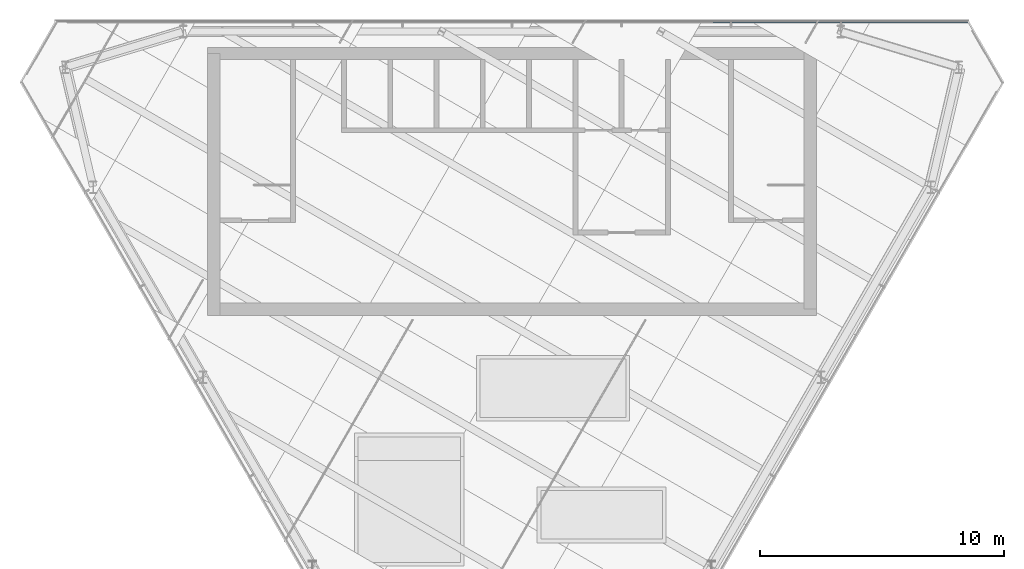
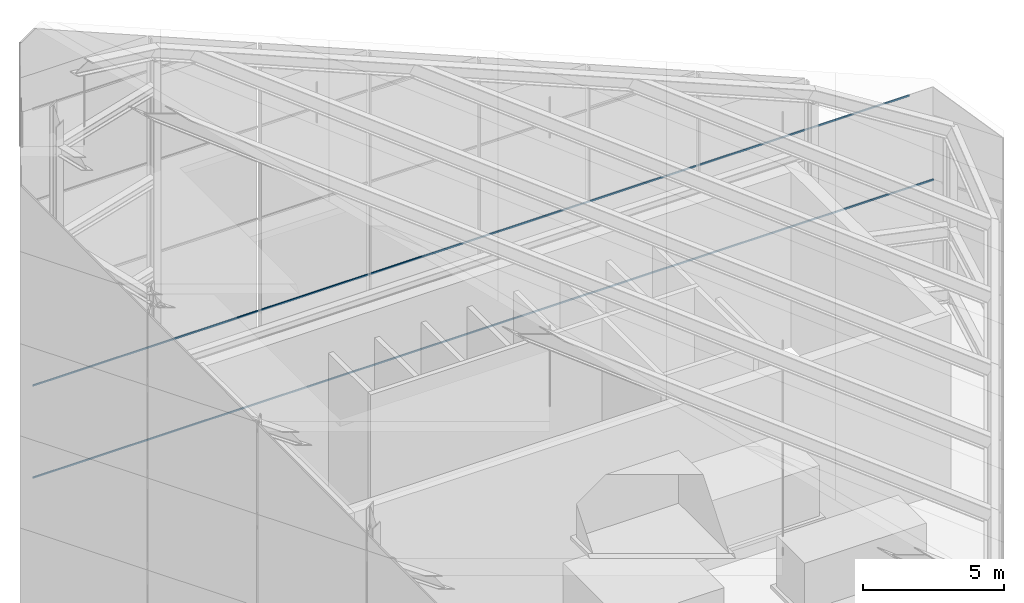
# One storey, part 9 of 16: 2 members, 1 element without a shape of its own.
"""IFC4 building model written with IfcOpenShell, lengths in metres."""

import ifcopenshell
import ifcopenshell.guid

model = None  # the IFC model being written
_history = None  # IfcOwnerHistory: only IFC2X3 demands one
_inside = {}  # id of a spatial element -> (the spatial element, [elements in it])
_under = {}  # id of a project, library or spatial element -> (it, [spatial elements below it])
_declared = {}  # id of a project -> (the project, [libraries it declares])
_typed = {}  # id of a type object -> (the type object, [elements of that type])
_made_of = {}  # id of a material, layer set ... -> (it, [elements and type objects made of it])


def new_model(schema):
    """Start an empty IFC model of exactly this schema.

    Asked for "IFC4X3", IfcOpenShell would pick the latest addendum, in which some entities
    have other attributes; the version numbers below select the first issue.
    IFC2X3 requires an IfcOwnerHistory on every rooted entity: one is made here for all.
    """
    global model, _history
    if schema == "IFC4X3":
        model = ifcopenshell.file(schema_version=(4, 3, 0, 0))
    else:
        model = ifcopenshell.file(schema=schema)
    _inside.clear()
    _under.clear()
    _declared.clear()
    _typed.clear()
    _made_of.clear()
    _history = None
    if model.schema == "IFC2X3":
        org = make("IfcOrganization", Name="unknown")
        user = make(
            "IfcPersonAndOrganization",
            ThePerson=make("IfcPerson", FamilyName="unknown"),
            TheOrganization=org,
        )
        app = make(
            "IfcApplication",
            ApplicationDeveloper=org,
            Version="unknown",
            ApplicationFullName="unknown",
            ApplicationIdentifier="unknown",
        )
        _history = make(
            "IfcOwnerHistory",
            OwningUser=user,
            OwningApplication=app,
            ChangeAction="ADDED",
            CreationDate=0,
        )
    return model


def make(cls, **values):
    """One entity of the class cls with the attributes given. An attribute that is None is left unset."""
    return model.create_entity(
        cls, **{name: value for name, value in values.items() if value is not None}
    )


def rooted(cls, **values):
    """An entity with a GlobalId (a new one), such as an element, a storey or a relation."""
    return make(cls, GlobalId=ifcopenshell.guid.new(), OwnerHistory=_history, **values)


def si_unit(unit_type, name, prefix=None):
    """IfcSIUnit, for example si_unit("LENGTHUNIT", "METRE", prefix="MILLI")."""
    return make("IfcSIUnit", UnitType=unit_type, Prefix=prefix, Name=name)


def assignment(units):
    """IfcUnitAssignment: the units of a project."""
    return None if units is None else make("IfcUnitAssignment", Units=units)


def point(xyz):
    """IfcCartesianPoint."""
    return None if xyz is None else make("IfcCartesianPoint", Coordinates=xyz)


def direction(xyz):
    """IfcDirection."""
    return None if xyz is None else make("IfcDirection", DirectionRatios=xyz)


def frame(location, z_axis=None, x_axis=None):
    """IfcAxis2Placement3D, a coordinate frame: its origin and axes. An axis left out is left unset."""
    return make(
        "IfcAxis2Placement3D",
        Location=point(location),
        Axis=direction(z_axis),
        RefDirection=direction(x_axis),
    )


def frame_2d(location, x_axis=None):
    """IfcAxis2Placement2D, a coordinate frame in the plane: its origin and x axis."""
    return make(
        "IfcAxis2Placement2D", Location=point(location), RefDirection=direction(x_axis)
    )


def origin():
    """The frame at (0, 0, 0) with its axes left unset."""
    return frame((0.0, 0.0, 0.0))


def origin_2d():
    """The frame at (0, 0) in the plane with its x axis left unset."""
    return frame_2d((0.0, 0.0))


def place(relative_to, where):
    """IfcLocalPlacement: puts the frame where relative to a parent placement (None: the world)."""
    return make(
        "IfcLocalPlacement", PlacementRelTo=relative_to, RelativePlacement=where
    )


def context(
    kind, dimensions, precision=None, world=None, true_north=None, identifier=None
):
    """IfcGeometricRepresentationContext, for example the 3D "Model" context."""
    return make(
        "IfcGeometricRepresentationContext",
        ContextIdentifier=identifier,
        ContextType=kind,
        CoordinateSpaceDimension=dimensions,
        Precision=precision,
        WorldCoordinateSystem=world,
        TrueNorth=true_north,
    )


def subcontext(parent, identifier, kind, view, scale=None):
    """IfcGeometricRepresentationSubContext, for example "Body" below "Model"."""
    return make(
        "IfcGeometricRepresentationSubContext",
        ContextIdentifier=identifier,
        ContextType=kind,
        ParentContext=parent,
        TargetScale=scale,
        TargetView=view,
    )


def project(units=None, contexts=None):
    """IfcProject with its units and contexts."""
    return rooted(
        "IfcProject",
        Name="project",
        RepresentationContexts=contexts,
        UnitsInContext=assignment(units),
    )


def spatial(cls, under=None, at=None, **own):
    """A site, building, storey or space (cls), placed at a placement, below another one or the project."""
    s = rooted(cls, ObjectPlacement=at, **own)
    if under is not None:
        _under.setdefault(under.id(), (under, []))[1].append(s)
    return s


def profile(cls, at=None, kind="AREA", **sizes):
    """A parametric profile (cls). Its sizes go by their IFC names, for example OverallWidth=200.0."""
    return make(cls, ProfileType=kind, Position=at, **sizes)


def rectangle(**sizes):
    """IfcRectangleProfileDef."""
    return profile("IfcRectangleProfileDef", **sizes)


def extrude(swept, where, along, depth):
    """IfcExtrudedAreaSolid: the profile swept, set in the frame where, extruded along a direction by depth."""
    return make(
        "IfcExtrudedAreaSolid",
        SweptArea=swept,
        Position=where,
        ExtrudedDirection=direction(along),
        Depth=depth,
    )


def shape(context_of_items, identifier, shape_type, items):
    """IfcShapeRepresentation: the items that make up one representation, for example the "Body"."""
    return make(
        "IfcShapeRepresentation",
        ContextOfItems=context_of_items,
        RepresentationIdentifier=identifier,
        RepresentationType=shape_type,
        Items=items,
    )


def material(Name=None, Category=None):
    """IfcMaterial."""
    return make("IfcMaterial", Name=Name, Category=Category)


def layer(
    of_material, thickness, ventilated=None, Name=None, Category=None, Priority=None
):
    """IfcMaterialLayer: one layer of a wall or slab, of a material (None: an air gap)."""
    return make(
        "IfcMaterialLayer",
        Material=of_material,
        LayerThickness=thickness,
        IsVentilated=ventilated,
        Name=Name,
        Category=Category,
        Priority=Priority,
    )


def layer_set(layers, Name=None):
    """IfcMaterialLayerSet."""
    return make("IfcMaterialLayerSet", MaterialLayers=layers, LayerSetName=Name)


def material_profile(
    of_material, cross_section, Name=None, Category=None, Priority=None
):
    """IfcMaterialProfile: a cross section and its material."""
    return make(
        "IfcMaterialProfile",
        Name=Name,
        Material=of_material,
        Profile=cross_section,
        Priority=Priority,
        Category=Category,
    )


def profile_set(profiles, Name=None, composite=None):
    """IfcMaterialProfileSet."""
    return make(
        "IfcMaterialProfileSet",
        Name=Name,
        MaterialProfiles=profiles,
        CompositeProfile=composite,
    )


def made_of(thing, what):
    """Note that an element or type object is made of a material, layer set ...; save() writes the relation."""
    if what is not None:
        _made_of.setdefault(what.id(), (what, []))[1].append(thing)
    return thing


def type_object(cls, material=None, **own):
    """A type object (cls), such as IfcWallType, which elements share."""
    return made_of(rooted(cls, **own), material)


def element(
    cls,
    number,
    at=None,
    inside=None,
    cuts=None,
    type_object=None,
    material=None,
    context=None,
    identifier="Body",
    shape_type=None,
    held_by="IfcProductDefinitionShape",
    body=None,
    shapes=None,
    **own,
):
    """One element of the class cls, such as IfcWall. Its Tag is "e" and its number.

    at: its placement. inside: the storey or other place that contains it. cuts: it is an
    opening in that element (IfcRelVoidsElement). A single representation is given by context,
    identifier, shape_type and body (its items); several are given by shapes. held_by: the class
    of the entity that holds the representations. save() writes the other relations.
    """
    e = rooted(cls, Tag="e%d" % number, ObjectPlacement=at, **own)
    if body is not None:
        shapes = [shape(context, identifier, shape_type, body)]
    if shapes is not None:
        e.Representation = make(held_by, Representations=shapes)
    if inside is not None:
        _inside.setdefault(inside.id(), (inside, []))[1].append(e)
    if cuts is not None:
        rooted(
            "IfcRelVoidsElement", RelatingBuildingElement=cuts, RelatedOpeningElement=e
        )
    if type_object is not None:
        _typed.setdefault(type_object.id(), (type_object, []))[1].append(e)
    return made_of(e, material)


def aggregate(whole, parts):
    """IfcRelAggregates: a whole, such as a stair, and the parts it consists of."""
    return rooted("IfcRelAggregates", RelatingObject=whole, RelatedObjects=parts)


def save(model, path):
    """Write the relations noted so far, then the file.

    IfcRelAggregates (storeys below a building ...), IfcRelContainedInSpatialStructure (elements
    in a storey), IfcRelDefinesByType, IfcRelAssociatesMaterial and IfcRelDeclares: one each for
    every whole, place, type object, material and project.
    """
    for whole, parts in _under.values():
        aggregate(whole, parts)
    for where, things in _inside.values():
        rooted(
            "IfcRelContainedInSpatialStructure",
            RelatedElements=things,
            RelatingStructure=where,
        )
    for kind, things in _typed.values():
        rooted("IfcRelDefinesByType", RelatedObjects=things, RelatingType=kind)
    for what, things in _made_of.values():
        rooted("IfcRelAssociatesMaterial", RelatedObjects=things, RelatingMaterial=what)
    for by, libraries in _declared.values():
        rooted("IfcRelDeclares", RelatingContext=by, RelatedDefinitions=libraries)
    model.write(path)


model = new_model("IFC4")

# Units and contexts
model_context = context("Model", 3, precision=1e-05, world=origin(), true_north=direction((0.0, 1.0)))
body_context = subcontext(model_context, "Body", "Model", "MODEL_VIEW")
ifc_project = project(units=[si_unit("LENGTHUNIT", "METRE"), si_unit("AREAUNIT", "SQUARE_METRE"), si_unit("VOLUMEUNIT", "CUBIC_METRE"), si_unit("PLANEANGLEUNIT", "RADIAN"), si_unit("MASSUNIT", "GRAM", prefix="KILO")], contexts=[model_context])

# Site, building, storey
site_placement = place(None, origin())
site = spatial("IfcSite", under=ifc_project, at=site_placement, CompositionType="ELEMENT")
building_placement = place(site_placement, origin())
building = spatial("IfcBuilding", under=site, at=building_placement, Name="Altiplano Prism Tower", CompositionType="ELEMENT")
storey_placement = place(building_placement, frame((0.0, 0.0, 358.0)))
storey = spatial("IfcBuildingStorey", under=building, at=storey_placement, Name="Crown", CompositionType="ELEMENT", Elevation=358.0)

# Curtain wall, members
ifc_material_1 = material(Name="Aluminium and glass", Category="aluminium")
ifc_layer = layer(ifc_material_1, 0.25)
ifc_layer_set = layer_set([ifc_layer], Name="Aluminium and glass")
curtain_wall_type = type_object("IfcCurtainWallType", Name="CW5 crown glazing", PredefinedType="NOTDEFINED", material=ifc_layer_set)
curtain_wall_placement = place(storey_placement, origin())
curtain_wall = element("IfcCurtainWall", 1, at=curtain_wall_placement, inside=storey, type_object=curtain_wall_type, Name="CW5 crown glazing face 1", PredefinedType="NOTDEFINED")
ifc_material_2 = material(Name="Aluminium", Category="aluminium")
ifc_material_profile = material_profile(ifc_material_2, rectangle(XDim=0.050048828125, YDim=0.06005859375, at=origin_2d()), Name="CW5 transom 60 x 50")
ifc_profile_set = profile_set([ifc_material_profile], Name="Aluminium")
member_type = type_object("IfcMemberType", Name="CW5 transom 60 x 50", PredefinedType="USERDEFINED", material=ifc_profile_set)
member_1_placement = place(storey_placement, frame((103.74072265625, 104.93505859375, 4.0), z_axis=(-1.0, 0.0, 0.0), x_axis=(0.0, -1.0, 0.0)))
member_1 = element("IfcMember", 2, at=member_1_placement, type_object=member_type, Name="CW5 transom", ObjectType="TRANSOM", PredefinedType="USERDEFINED", context=body_context, shape_type="SweptSolid", body=[
    extrude(rectangle(XDim=0.050048828125, YDim=0.06005859375, at=origin_2d()), origin(), (0.0, 0.0, 1.0), 37.0),
])
member_2_placement = place(storey_placement, frame((102.74072265625, 104.93505859375, 8.0), z_axis=(-1.0, 0.0, 0.0), x_axis=(0.0, -1.0, 0.0)))
member_2 = element("IfcMember", 3, at=member_2_placement, type_object=member_type, Name="CW5 transom", ObjectType="TRANSOM", PredefinedType="USERDEFINED", context=body_context, shape_type="SweptSolid", body=[
    extrude(rectangle(XDim=0.050048828125, YDim=0.06005859375, at=origin_2d()), origin(), (0.0, 0.0, 1.0), 36.0),
])
aggregate(curtain_wall, [member_1, member_2])

save(model, "model.ifc")
